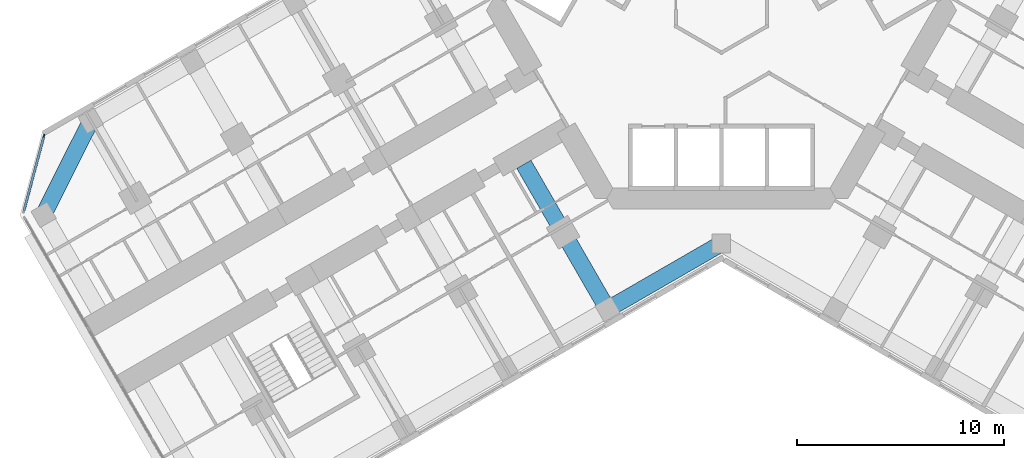
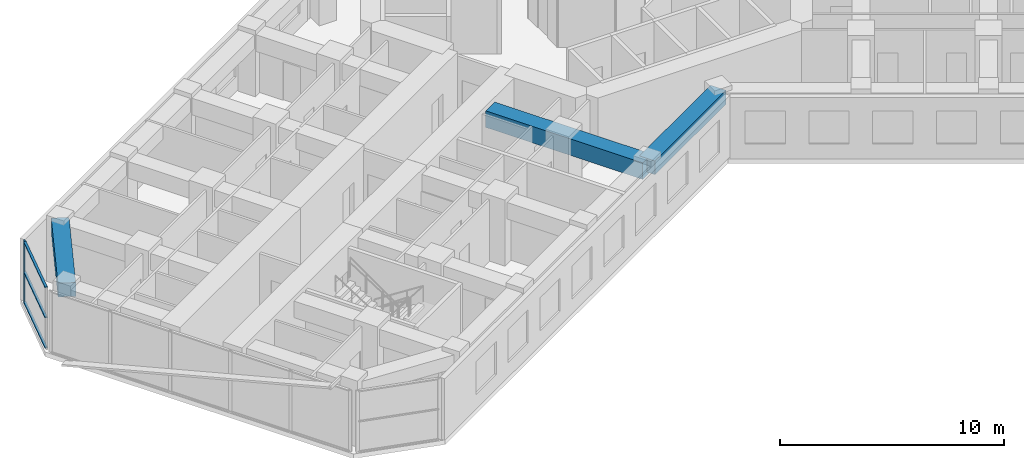
# One storey, part 3 of 21: 4 members, 3 beams, 1 element without a shape of its own.
"""IFC4 building model written with IfcOpenShell, lengths in metres."""

from ifc_helpers import new_model, si_unit, direction, frame, origin, origin_2d, place, context, subcontext, project, spatial, rectangle, extrude, material, material_profile, profile_set, type_object, element, aggregate, save


model = new_model("IFC4")

# Units and contexts
model_context = context("Model", 3, precision=1e-05, world=origin(), true_north=direction((0.0, 1.0)))
body_context = subcontext(model_context, "Body", "Model", "MODEL_VIEW")
ifc_project = project(units=[si_unit("LENGTHUNIT", "METRE"), si_unit("AREAUNIT", "SQUARE_METRE"), si_unit("VOLUMEUNIT", "CUBIC_METRE"), si_unit("PLANEANGLEUNIT", "RADIAN"), si_unit("MASSUNIT", "GRAM", prefix="KILO")], contexts=[model_context])

# Site, building, storey
site_placement = place(None, origin())
site = spatial("IfcSite", under=ifc_project, at=site_placement, CompositionType="ELEMENT")
building_placement = place(site_placement, origin())
building = spatial("IfcBuilding", under=site, at=building_placement, Name="Kosmar Iwan School Tower", CompositionType="ELEMENT")
storey_placement = place(building_placement, frame((0.0, 0.0, 106.0)))
storey = spatial("IfcBuildingStorey", under=building, at=storey_placement, Name="L26", CompositionType="ELEMENT", Elevation=106.0)

# Curtain wall, member
ifc_material_1 = material(Name="Dark glass in black aluminium frame", Category="aluminium")
curtain_wall_type = type_object("IfcCurtainWallType", Name="Chamfer curtain wall dark glass", PredefinedType="USERDEFINED", material=ifc_material_1)
curtain_wall_placement = place(storey_placement, origin())
curtain_wall = element("IfcCurtainWall", 1, at=curtain_wall_placement, inside=storey, type_object=curtain_wall_type, Name="Curtain wall L26-F12", ObjectType="FACETED CURTAIN WALL", PredefinedType="USERDEFINED")
ifc_material_2 = material(Name="Black anodised aluminium", Category="aluminium")
ifc_material_profile_1 = material_profile(ifc_material_2, rectangle(XDim=0.06005859375, YDim=0.159912109375, at=origin_2d()), Name="MULLION 60x160")
ifc_profile_set_1 = profile_set([ifc_material_profile_1], Name="Black anodised aluminium")
member_type_1 = type_object("IfcMemberType", Name="Mullion 60x160", PredefinedType="MULLION", material=ifc_profile_set_1)
member_1_placement = place(storey_placement, frame((-32.78076171875, -6.5732421875, 0.0), z_axis=(0.0, 0.0, 1.0), x_axis=(0.965925875495, -0.258818861462, 0.0)))
member_1 = element("IfcMember", 2, at=member_1_placement, type_object=member_type_1, Name="CW2 mullion 1", PredefinedType="MULLION", context=body_context, shape_type="SweptSolid", body=[
    extrude(rectangle(XDim=0.06005859375, YDim=0.159912109375, at=origin_2d()), origin(), (0.0, 0.0, 1.0), 3.35009765625),
])

# Beams
ifc_material_3 = material(Name="Concrete C50/60", Category="concrete")
ifc_material_profile_2 = material_profile(ifc_material_3, rectangle(XDim=0.800048828125, YDim=0.75, at=origin_2d()), Name="RC 800x750")
ifc_profile_set_2 = profile_set([ifc_material_profile_2], Name="Concrete C50/60")
beam_type_1 = type_object("IfcBeamType", Name="RC edge beam 800x750", PredefinedType="BEAM", material=ifc_profile_set_2)
beam_1_placement = place(storey_placement, frame((0.0, -11.77783203125, 2.97509765625), z_axis=(-0.866014293216, -0.500019243575, 0.0), x_axis=(0.500019243575, -0.866014293216, 0.0)))
element("IfcBeam", 3, at=beam_1_placement, inside=storey, type_object=beam_type_1, Name="Edge beam BL1", PredefinedType="BEAM", context=body_context, shape_type="SweptSolid", body=[
    extrude(rectangle(XDim=0.800048828125, YDim=0.75, at=origin_2d()), origin(), (0.0, 0.0, 1.0), 6.361083984375),
])
ifc_material_4 = material(Name="Concrete C50/60", Category="concrete")
ifc_material_profile_3 = material_profile(ifc_material_4, rectangle(XDim=0.800048828125, YDim=0.75, at=origin_2d()), Name="RC 800x750")
ifc_profile_set_3 = profile_set([ifc_material_profile_3], Name="Concrete C50/60")
beam_type_2 = type_object("IfcBeamType", Name="RC tip beam 800x750", PredefinedType="BEAM", material=ifc_profile_set_3)
beam_2_placement = place(storey_placement, frame((-30.517822265625, -5.841552734375, 2.97509765625), z_axis=(-0.44809604203, -0.893985423325, 0.0), x_axis=(0.893985423325, -0.44809604203, 0.0)))
element("IfcBeam", 4, at=beam_2_placement, inside=storey, type_object=beam_type_2, Name="Tip beam BR", PredefinedType="BEAM", context=body_context, shape_type="SweptSolid", body=[
    extrude(rectangle(XDim=0.800048828125, YDim=0.75, at=origin_2d()), origin(), (0.0, 0.0, 1.0), 5.08935546875),
])
ifc_material_5 = material(Name="Concrete C50/60", Category="concrete")
ifc_material_profile_4 = material_profile(ifc_material_5, rectangle(XDim=0.800048828125, YDim=0.89990234375, at=origin_2d()), Name="RC 800x900")
ifc_profile_set_4 = profile_set([ifc_material_profile_4], Name="Concrete C50/60")
beam_type_3 = type_object("IfcBeamType", Name="RC transverse beam 800x900", PredefinedType="BEAM", material=ifc_profile_set_4)
beam_3_placement = place(storey_placement, frame((-5.5087890625, -14.95849609375, 2.89990234375), z_axis=(-0.499999880539, 0.866025472755, 0.0), x_axis=(-0.866025472755, -0.499999880539, 0.0)))
element("IfcBeam", 5, at=beam_3_placement, inside=storey, type_object=beam_type_3, Name="Transverse beam BL1", PredefinedType="BEAM", context=body_context, shape_type="SweptSolid", body=[
    extrude(rectangle(XDim=0.800048828125, YDim=0.89990234375, at=origin_2d()), origin(), (0.0, 0.0, 1.0), 8.10009765625),
])

# Member
ifc_material_6 = material(Name="Black anodised aluminium", Category="aluminium")
ifc_material_profile_5 = material_profile(ifc_material_6, rectangle(XDim=0.1201171875, YDim=0.06005859375, at=origin_2d()), Name="TRANSOM 60x120")
ifc_profile_set_5 = profile_set([ifc_material_profile_5], Name="Black anodised aluminium")
member_type_2 = type_object("IfcMemberType", Name="Transom 60x120", PredefinedType="USERDEFINED", material=ifc_profile_set_5)
member_2_placement = place(storey_placement, frame((-32.788330078125, -6.602294921875, 0.030029296875), z_axis=(-0.258843273983, -0.965919333854, 0.0), x_axis=(0.965919333854, -0.258843273983, 0.0)))
member_2 = element("IfcMember", 6, at=member_2_placement, type_object=member_type_2, Name="CW2 transom 1.1", ObjectType="TRANSOM", PredefinedType="USERDEFINED", context=body_context, shape_type="SweptSolid", body=[
    extrude(rectangle(XDim=0.1201171875, YDim=0.06005859375, at=origin_2d()), origin(), (0.0, 0.0, 1.0), 3.718994140625),
])

member_3_placement = place(storey_placement, frame((-32.788330078125, -6.602294921875, 1.675048828125), z_axis=(-0.258843273983, -0.965919333854, 0.0), x_axis=(0.965919333854, -0.258843273983, 0.0)))
member_3 = element("IfcMember", 7, at=member_3_placement, type_object=member_type_2, Name="CW2 transom 1.2", ObjectType="TRANSOM", PredefinedType="USERDEFINED", context=body_context, shape_type="SweptSolid", body=[
    extrude(rectangle(XDim=0.1201171875, YDim=0.06005859375, at=origin_2d()), origin(), (0.0, 0.0, 1.0), 3.718994140625),
])

member_4_placement = place(storey_placement, frame((-32.788330078125, -6.602294921875, 3.320068359375), z_axis=(-0.258843273983, -0.965919333854, 0.0), x_axis=(0.965919333854, -0.258843273983, 0.0)))
member_4 = element("IfcMember", 8, at=member_4_placement, type_object=member_type_2, Name="CW2 transom 1.3", ObjectType="TRANSOM", PredefinedType="USERDEFINED", context=body_context, shape_type="SweptSolid", body=[
    extrude(rectangle(XDim=0.1201171875, YDim=0.06005859375, at=origin_2d()), origin(), (0.0, 0.0, 1.0), 3.718994140625),
])

aggregate(curtain_wall, [member_1, member_2, member_3, member_4])

save(model, "model.ifc")
